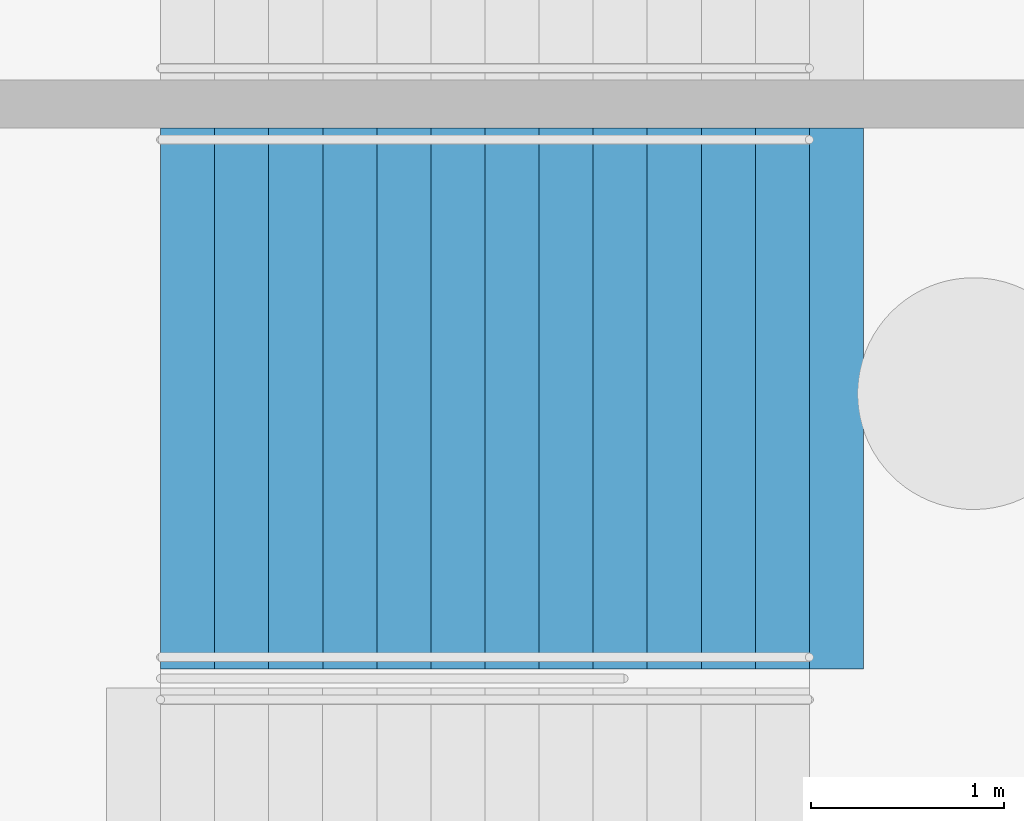
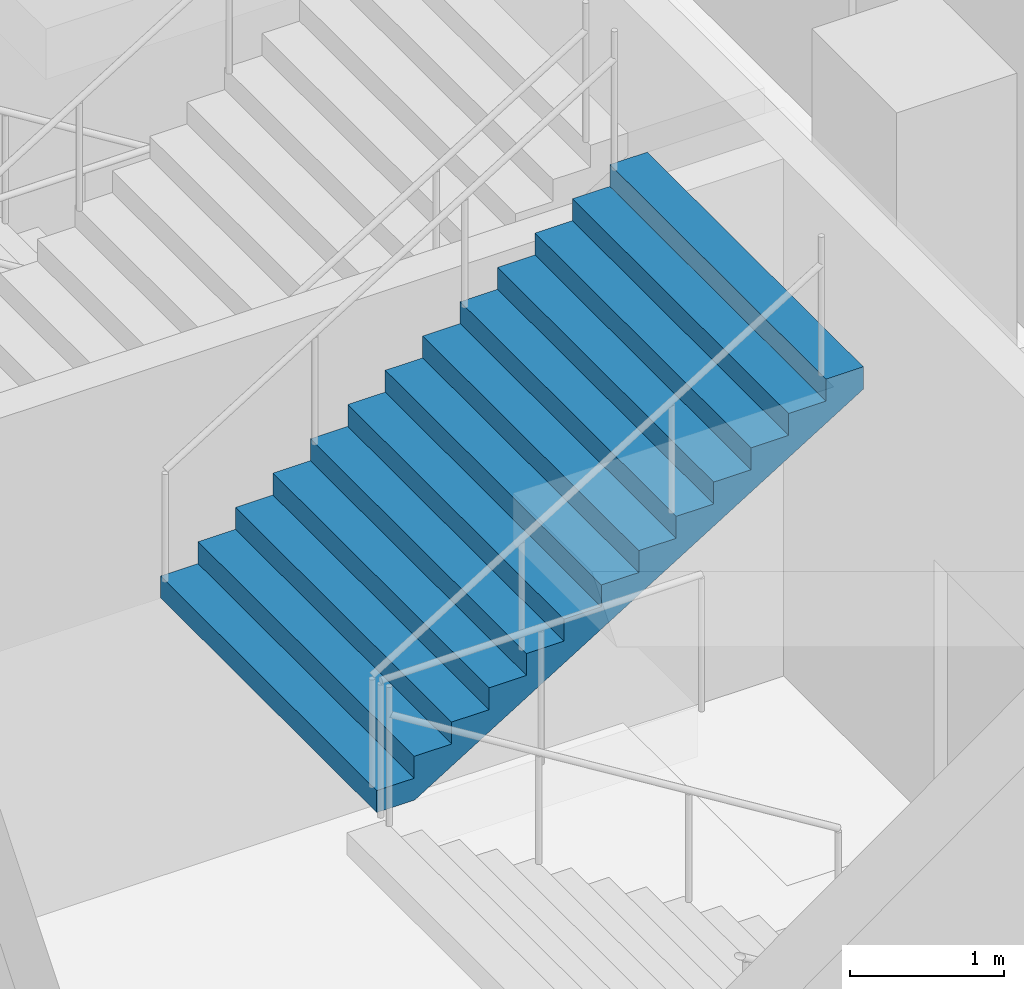
# One storey, part 73 of 115: 1 stair flight, 1 element without a shape of its own.
"""IFC4 building model written with IfcOpenShell, lengths in metres."""

import ifcopenshell
import ifcopenshell.guid

model = None  # the IFC model being written
_history = None  # IfcOwnerHistory: only IFC2X3 demands one
_inside = {}  # id of a spatial element -> (the spatial element, [elements in it])
_under = {}  # id of a project, library or spatial element -> (it, [spatial elements below it])
_declared = {}  # id of a project -> (the project, [libraries it declares])
_typed = {}  # id of a type object -> (the type object, [elements of that type])
_made_of = {}  # id of a material, layer set ... -> (it, [elements and type objects made of it])


def new_model(schema):
    """Start an empty IFC model of exactly this schema.

    Asked for "IFC4X3", IfcOpenShell would pick the latest addendum, in which some entities
    have other attributes; the version numbers below select the first issue.
    IFC2X3 requires an IfcOwnerHistory on every rooted entity: one is made here for all.
    """
    global model, _history
    if schema == "IFC4X3":
        model = ifcopenshell.file(schema_version=(4, 3, 0, 0))
    else:
        model = ifcopenshell.file(schema=schema)
    _inside.clear()
    _under.clear()
    _declared.clear()
    _typed.clear()
    _made_of.clear()
    _history = None
    if model.schema == "IFC2X3":
        org = make("IfcOrganization", Name="unknown")
        user = make(
            "IfcPersonAndOrganization",
            ThePerson=make("IfcPerson", FamilyName="unknown"),
            TheOrganization=org,
        )
        app = make(
            "IfcApplication",
            ApplicationDeveloper=org,
            Version="unknown",
            ApplicationFullName="unknown",
            ApplicationIdentifier="unknown",
        )
        _history = make(
            "IfcOwnerHistory",
            OwningUser=user,
            OwningApplication=app,
            ChangeAction="ADDED",
            CreationDate=0,
        )
    return model


def make(cls, **values):
    """One entity of the class cls with the attributes given. An attribute that is None is left unset."""
    return model.create_entity(
        cls, **{name: value for name, value in values.items() if value is not None}
    )


def rooted(cls, **values):
    """An entity with a GlobalId (a new one), such as an element, a storey or a relation."""
    return make(cls, GlobalId=ifcopenshell.guid.new(), OwnerHistory=_history, **values)


def si_unit(unit_type, name, prefix=None):
    """IfcSIUnit, for example si_unit("LENGTHUNIT", "METRE", prefix="MILLI")."""
    return make("IfcSIUnit", UnitType=unit_type, Prefix=prefix, Name=name)


def assignment(units):
    """IfcUnitAssignment: the units of a project."""
    return None if units is None else make("IfcUnitAssignment", Units=units)


def point(xyz):
    """IfcCartesianPoint."""
    return None if xyz is None else make("IfcCartesianPoint", Coordinates=xyz)


def direction(xyz):
    """IfcDirection."""
    return None if xyz is None else make("IfcDirection", DirectionRatios=xyz)


def frame(location, z_axis=None, x_axis=None):
    """IfcAxis2Placement3D, a coordinate frame: its origin and axes. An axis left out is left unset."""
    return make(
        "IfcAxis2Placement3D",
        Location=point(location),
        Axis=direction(z_axis),
        RefDirection=direction(x_axis),
    )


def origin():
    """The frame at (0, 0, 0) with its axes left unset."""
    return frame((0.0, 0.0, 0.0))


def place(relative_to, where):
    """IfcLocalPlacement: puts the frame where relative to a parent placement (None: the world)."""
    return make(
        "IfcLocalPlacement", PlacementRelTo=relative_to, RelativePlacement=where
    )


def context(
    kind, dimensions, precision=None, world=None, true_north=None, identifier=None
):
    """IfcGeometricRepresentationContext, for example the 3D "Model" context."""
    return make(
        "IfcGeometricRepresentationContext",
        ContextIdentifier=identifier,
        ContextType=kind,
        CoordinateSpaceDimension=dimensions,
        Precision=precision,
        WorldCoordinateSystem=world,
        TrueNorth=true_north,
    )


def subcontext(parent, identifier, kind, view, scale=None):
    """IfcGeometricRepresentationSubContext, for example "Body" below "Model"."""
    return make(
        "IfcGeometricRepresentationSubContext",
        ContextIdentifier=identifier,
        ContextType=kind,
        ParentContext=parent,
        TargetScale=scale,
        TargetView=view,
    )


def project(units=None, contexts=None):
    """IfcProject with its units and contexts."""
    return rooted(
        "IfcProject",
        Name="project",
        RepresentationContexts=contexts,
        UnitsInContext=assignment(units),
    )


def spatial(cls, under=None, at=None, **own):
    """A site, building, storey or space (cls), placed at a placement, below another one or the project."""
    s = rooted(cls, ObjectPlacement=at, **own)
    if under is not None:
        _under.setdefault(under.id(), (under, []))[1].append(s)
    return s


def faces_of(points, faces, orient=None, outer=None):
    """IfcFace entities. A face is a list of loops; a loop is a list of indices into points, from 0.

    orient and outer hold one flag for each loop. By default every Orientation is true, the
    first loop of a face is its IfcFaceOuterBound and the others are IfcFaceBound.
    """
    made = []
    for i, loops in enumerate(faces):
        bounds = []
        for j, loop in enumerate(loops):
            is_outer = j == 0 if outer is None else outer[i][j]
            bounds.append(
                make(
                    "IfcFaceOuterBound" if is_outer else "IfcFaceBound",
                    Bound=make("IfcPolyLoop", Polygon=[points[k] for k in loop]),
                    Orientation=True if orient is None else orient[i][j],
                )
            )
        made.append(make("IfcFace", Bounds=bounds))
    return made


def faceted_brep(points, faces, orient=None, outer=None, voids=None):
    """IfcFacetedBrep: a solid bounded by flat faces; with voids (closed shells), ...WithVoids."""
    shared = [point(p) for p in points]
    hull = make("IfcClosedShell", CfsFaces=faces_of(shared, faces, orient, outer))
    if voids is None:
        return make("IfcFacetedBrep", Outer=hull)
    return make(
        "IfcFacetedBrepWithVoids",
        Outer=hull,
        Voids=[
            make(cls, CfsFaces=faces_of(shared, fs, o, b)) for cls, fs, o, b in voids
        ],
    )


def shape(context_of_items, identifier, shape_type, items):
    """IfcShapeRepresentation: the items that make up one representation, for example the "Body"."""
    return make(
        "IfcShapeRepresentation",
        ContextOfItems=context_of_items,
        RepresentationIdentifier=identifier,
        RepresentationType=shape_type,
        Items=items,
    )


def material(Name=None, Category=None):
    """IfcMaterial."""
    return make("IfcMaterial", Name=Name, Category=Category)


def made_of(thing, what):
    """Note that an element or type object is made of a material, layer set ...; save() writes the relation."""
    if what is not None:
        _made_of.setdefault(what.id(), (what, []))[1].append(thing)
    return thing


def type_object(cls, material=None, **own):
    """A type object (cls), such as IfcWallType, which elements share."""
    return made_of(rooted(cls, **own), material)


def element(
    cls,
    number,
    at=None,
    inside=None,
    cuts=None,
    type_object=None,
    material=None,
    context=None,
    identifier="Body",
    shape_type=None,
    held_by="IfcProductDefinitionShape",
    body=None,
    shapes=None,
    **own,
):
    """One element of the class cls, such as IfcWall. Its Tag is "e" and its number.

    at: its placement. inside: the storey or other place that contains it. cuts: it is an
    opening in that element (IfcRelVoidsElement). A single representation is given by context,
    identifier, shape_type and body (its items); several are given by shapes. held_by: the class
    of the entity that holds the representations. save() writes the other relations.
    """
    e = rooted(cls, Tag="e%d" % number, ObjectPlacement=at, **own)
    if body is not None:
        shapes = [shape(context, identifier, shape_type, body)]
    if shapes is not None:
        e.Representation = make(held_by, Representations=shapes)
    if inside is not None:
        _inside.setdefault(inside.id(), (inside, []))[1].append(e)
    if cuts is not None:
        rooted(
            "IfcRelVoidsElement", RelatingBuildingElement=cuts, RelatedOpeningElement=e
        )
    if type_object is not None:
        _typed.setdefault(type_object.id(), (type_object, []))[1].append(e)
    return made_of(e, material)


def aggregate(whole, parts):
    """IfcRelAggregates: a whole, such as a stair, and the parts it consists of."""
    return rooted("IfcRelAggregates", RelatingObject=whole, RelatedObjects=parts)


def save(model, path):
    """Write the relations noted so far, then the file.

    IfcRelAggregates (storeys below a building ...), IfcRelContainedInSpatialStructure (elements
    in a storey), IfcRelDefinesByType, IfcRelAssociatesMaterial and IfcRelDeclares: one each for
    every whole, place, type object, material and project.
    """
    for whole, parts in _under.values():
        aggregate(whole, parts)
    for where, things in _inside.values():
        rooted(
            "IfcRelContainedInSpatialStructure",
            RelatedElements=things,
            RelatingStructure=where,
        )
    for kind, things in _typed.values():
        rooted("IfcRelDefinesByType", RelatedObjects=things, RelatingType=kind)
    for what, things in _made_of.values():
        rooted("IfcRelAssociatesMaterial", RelatedObjects=things, RelatingMaterial=what)
    for by, libraries in _declared.values():
        rooted("IfcRelDeclares", RelatingContext=by, RelatedDefinitions=libraries)
    model.write(path)


model = new_model("IFC4")

# Units and contexts
model_context = context("Model", 3, precision=1e-05, world=origin(), true_north=direction((0.0, 1.0)))
body_context = subcontext(model_context, "Body", "Model", "MODEL_VIEW")
ifc_project = project(units=[si_unit("LENGTHUNIT", "METRE"), si_unit("AREAUNIT", "SQUARE_METRE"), si_unit("VOLUMEUNIT", "CUBIC_METRE"), si_unit("PLANEANGLEUNIT", "RADIAN"), si_unit("MASSUNIT", "GRAM", prefix="KILO")], contexts=[model_context])

# Site, building, storey
site_placement = place(None, origin())
site = spatial("IfcSite", under=ifc_project, at=site_placement, CompositionType="ELEMENT")
building_placement = place(site_placement, origin())
building = spatial("IfcBuilding", under=site, at=building_placement, Name="Ogive Plaza Stadium", CompositionType="ELEMENT")
storey_placement = place(building_placement, frame((0.0, 0.0, -4.5)))
storey = spatial("IfcBuildingStorey", under=building, at=storey_placement, Name="B1", CompositionType="ELEMENT", Elevation=-4.5)

# Stair, stair flight
ifc_material_1 = material(Name="Concrete C40/50", Category="concrete")
stair_type = type_object("IfcStairType", Name="Exit stair", PredefinedType="STRAIGHT_RUN_STAIR", material=ifc_material_1)
stair_placement = place(storey_placement, origin())
stair = element("IfcStair", 1, at=stair_placement, inside=storey, type_object=stair_type, Name="Exit stair ST22B B1 to L00", PredefinedType="STRAIGHT_RUN_STAIR")
ifc_material_2 = material(Name="Concrete C40/50", Category="concrete")
stair_flight_type = type_object("IfcStairFlightType", Name="Exit stair flight", PredefinedType="STRAIGHT", material=ifc_material_2)
stair_flight_placement = place(storey_placement, frame((-79.7099609375, -39.02490234375, 2.25), z_axis=(0.0, 0.0, 1.0), x_axis=(1.0, 0.0, 0.0)))
stair_flight = element("IfcStairFlight", 2, at=stair_flight_placement, type_object=stair_flight_type, Name="ST22B flight 2", NumberOfRisers=13, NumberOfTreads=12, PredefinedType="STRAIGHT", RiserHeight=0.173076923, TreadLength=0.28, context=body_context, shape_type="Brep", body=[
    faceted_brep([(0.28515625, -1.39990234375, 0.0), (3.639892578125, -1.39990234375, 2.07373046875), (3.639892578125, -1.39990234375, 2.25), (3.360107421875, -1.39990234375, 2.25), (3.360107421875, -1.39990234375, 2.076904296875), (3.080078125, -1.39990234375, 2.076904296875), (3.080078125, -1.39990234375, 1.90380859375), (2.800048828125, -1.39990234375, 1.90380859375), (2.800048828125, -1.39990234375, 1.730712890625), (2.52001953125, -1.39990234375, 1.730712890625), (2.52001953125, -1.39990234375, 1.5576171875), (2.239990234375, -1.39990234375, 1.5576171875), (2.239990234375, -1.39990234375, 1.384521484375), (1.9599609375, -1.39990234375, 1.384521484375), (1.9599609375, -1.39990234375, 1.21142578125), (1.679931640625, -1.39990234375, 1.21142578125), (1.679931640625, -1.39990234375, 1.03857421875), (1.39990234375, -1.39990234375, 1.03857421875), (1.39990234375, -1.39990234375, 0.865478515625), (1.1201171875, -1.39990234375, 0.865478515625), (1.1201171875, -1.39990234375, 0.6923828125), (0.840087890625, -1.39990234375, 0.6923828125), (0.840087890625, -1.39990234375, 0.519287109375), (0.56005859375, -1.39990234375, 0.519287109375), (0.56005859375, -1.39990234375, 0.34619140625), (0.280029296875, -1.39990234375, 0.34619140625), (0.280029296875, -1.39990234375, 0.173095703125), (0.0, -1.39990234375, 0.173095703125), (0.0, -1.39990234375, 0.0), (0.0, 1.39990234375, 0.0), (0.0, 1.39990234375, 0.173095703125), (0.280029296875, 1.39990234375, 0.173095703125), (0.280029296875, 1.39990234375, 0.34619140625), (0.56005859375, 1.39990234375, 0.34619140625), (0.56005859375, 1.39990234375, 0.519287109375), (0.840087890625, 1.39990234375, 0.519287109375), (0.840087890625, 1.39990234375, 0.6923828125), (1.1201171875, 1.39990234375, 0.6923828125), (1.1201171875, 1.39990234375, 0.865478515625), (1.39990234375, 1.39990234375, 0.865478515625), (1.39990234375, 1.39990234375, 1.03857421875), (1.679931640625, 1.39990234375, 1.03857421875), (1.679931640625, 1.39990234375, 1.21142578125), (1.9599609375, 1.39990234375, 1.21142578125), (1.9599609375, 1.39990234375, 1.384521484375), (2.239990234375, 1.39990234375, 1.384521484375), (2.239990234375, 1.39990234375, 1.5576171875), (2.52001953125, 1.39990234375, 1.5576171875), (2.52001953125, 1.39990234375, 1.730712890625), (2.800048828125, 1.39990234375, 1.730712890625), (2.800048828125, 1.39990234375, 1.90380859375), (3.080078125, 1.39990234375, 1.90380859375), (3.080078125, 1.39990234375, 2.076904296875), (3.360107421875, 1.39990234375, 2.076904296875), (3.360107421875, 1.39990234375, 2.25), (3.639892578125, 1.39990234375, 2.25), (3.639892578125, 1.39990234375, 2.07373046875), (0.28515625, 1.39990234375, 0.0), (0.28515625, -1.0888671875, 0.0), (3.639892578125, -1.0888671875, 2.07373046875), (0.28515625, -0.77783203125, 0.0), (3.639892578125, -0.77783203125, 2.07373046875), (0.28515625, -0.466796875, 0.0), (3.639892578125, -0.466796875, 2.07373046875), (0.28515625, -0.155517578125, 0.0), (3.639892578125, -0.155517578125, 2.07373046875), (0.28515625, 0.155517578125, 0.0), (3.639892578125, 0.155517578125, 2.07373046875), (0.28515625, 0.466796875, 0.0), (3.639892578125, 0.466796875, 2.07373046875), (0.28515625, 0.77783203125, 0.0), (3.639892578125, 0.77783203125, 2.07373046875), (0.28515625, 1.0888671875, 0.0), (3.639892578125, 1.0888671875, 2.07373046875), (3.639892578125, -1.0888671875, 2.25), (3.639892578125, -0.77783203125, 2.25), (3.639892578125, -0.466796875, 2.25), (3.639892578125, -0.155517578125, 2.25), (3.639892578125, 0.155517578125, 2.25), (3.639892578125, 0.466796875, 2.25), (3.639892578125, 0.77783203125, 2.25), (3.639892578125, 1.0888671875, 2.25), (3.360107421875, -1.0888671875, 2.25), (3.360107421875, -0.77783203125, 2.25), (3.360107421875, -0.466796875, 2.25), (3.360107421875, -0.155517578125, 2.25), (3.360107421875, 0.155517578125, 2.25), (3.360107421875, 0.466796875, 2.25), (3.360107421875, 0.77783203125, 2.25), (3.360107421875, 1.0888671875, 2.25), (3.360107421875, -1.0888671875, 2.076904296875), (3.360107421875, -0.77783203125, 2.076904296875), (3.360107421875, -0.466796875, 2.076904296875), (3.360107421875, -0.155517578125, 2.076904296875), (3.360107421875, 0.155517578125, 2.076904296875), (3.360107421875, 0.466796875, 2.076904296875), (3.360107421875, 0.77783203125, 2.076904296875), (3.360107421875, 1.0888671875, 2.076904296875), (3.080078125, -1.0888671875, 2.076904296875), (3.080078125, -0.77783203125, 2.076904296875), (3.080078125, -0.466796875, 2.076904296875), (3.080078125, -0.155517578125, 2.076904296875), (3.080078125, 0.155517578125, 2.076904296875), (3.080078125, 0.466796875, 2.076904296875), (3.080078125, 0.77783203125, 2.076904296875), (3.080078125, 1.0888671875, 2.076904296875), (3.080078125, -1.0888671875, 1.90380859375), (3.080078125, -0.77783203125, 1.90380859375), (3.080078125, -0.466796875, 1.90380859375), (3.080078125, -0.155517578125, 1.90380859375), (3.080078125, 0.155517578125, 1.90380859375), (3.080078125, 0.466796875, 1.90380859375), (3.080078125, 0.77783203125, 1.90380859375), (3.080078125, 1.0888671875, 1.90380859375), (2.800048828125, -1.0888671875, 1.90380859375), (2.800048828125, -0.77783203125, 1.90380859375), (2.800048828125, -0.466796875, 1.90380859375), (2.800048828125, -0.155517578125, 1.90380859375), (2.800048828125, 0.155517578125, 1.90380859375), (2.800048828125, 0.466796875, 1.90380859375), (2.800048828125, 0.77783203125, 1.90380859375), (2.800048828125, 1.0888671875, 1.90380859375), (2.800048828125, -1.0888671875, 1.730712890625), (2.800048828125, -0.77783203125, 1.730712890625), (2.800048828125, -0.466796875, 1.730712890625), (2.800048828125, -0.155517578125, 1.730712890625), (2.800048828125, 0.155517578125, 1.730712890625), (2.800048828125, 0.466796875, 1.730712890625), (2.800048828125, 0.77783203125, 1.730712890625), (2.800048828125, 1.0888671875, 1.730712890625), (2.52001953125, -1.0888671875, 1.730712890625), (2.52001953125, -0.77783203125, 1.730712890625), (2.52001953125, -0.466796875, 1.730712890625), (2.52001953125, -0.155517578125, 1.730712890625), (2.52001953125, 0.155517578125, 1.730712890625), (2.52001953125, 0.466796875, 1.730712890625), (2.52001953125, 0.77783203125, 1.730712890625), (2.52001953125, 1.0888671875, 1.730712890625), (2.52001953125, -1.0888671875, 1.5576171875), (2.52001953125, -0.77783203125, 1.5576171875), (2.52001953125, -0.466796875, 1.5576171875), (2.52001953125, -0.155517578125, 1.5576171875), (2.52001953125, 0.155517578125, 1.5576171875), (2.52001953125, 0.466796875, 1.5576171875), (2.52001953125, 0.77783203125, 1.5576171875), (2.52001953125, 1.0888671875, 1.5576171875), (2.239990234375, -1.0888671875, 1.5576171875), (2.239990234375, -0.77783203125, 1.5576171875), (2.239990234375, -0.466796875, 1.5576171875), (2.239990234375, -0.155517578125, 1.5576171875), (2.239990234375, 0.155517578125, 1.5576171875), (2.239990234375, 0.466796875, 1.5576171875), (2.239990234375, 0.77783203125, 1.5576171875), (2.239990234375, 1.0888671875, 1.5576171875), (2.239990234375, -1.0888671875, 1.384521484375), (2.239990234375, -0.77783203125, 1.384521484375), (2.239990234375, -0.466796875, 1.384521484375), (2.239990234375, -0.155517578125, 1.384521484375), (2.239990234375, 0.155517578125, 1.384521484375), (2.239990234375, 0.466796875, 1.384521484375), (2.239990234375, 0.77783203125, 1.384521484375), (2.239990234375, 1.0888671875, 1.384521484375), (1.9599609375, -1.0888671875, 1.384521484375), (1.9599609375, -0.77783203125, 1.384521484375), (1.9599609375, -0.466796875, 1.384521484375), (1.9599609375, -0.155517578125, 1.384521484375), (1.9599609375, 0.155517578125, 1.384521484375), (1.9599609375, 0.466796875, 1.384521484375), (1.9599609375, 0.77783203125, 1.384521484375), (1.9599609375, 1.0888671875, 1.384521484375), (1.9599609375, -1.0888671875, 1.21142578125), (1.9599609375, -0.77783203125, 1.21142578125), (1.9599609375, -0.466796875, 1.21142578125), (1.9599609375, -0.155517578125, 1.21142578125), (1.9599609375, 0.155517578125, 1.21142578125), (1.9599609375, 0.466796875, 1.21142578125), (1.9599609375, 0.77783203125, 1.21142578125), (1.9599609375, 1.0888671875, 1.21142578125), (1.679931640625, -1.0888671875, 1.21142578125), (1.679931640625, -0.77783203125, 1.21142578125), (1.679931640625, -0.466796875, 1.21142578125), (1.679931640625, -0.155517578125, 1.21142578125), (1.679931640625, 0.155517578125, 1.21142578125), (1.679931640625, 0.466796875, 1.21142578125), (1.679931640625, 0.77783203125, 1.21142578125), (1.679931640625, 1.0888671875, 1.21142578125), (1.679931640625, -1.0888671875, 1.03857421875), (1.679931640625, -0.77783203125, 1.03857421875), (1.679931640625, -0.466796875, 1.03857421875), (1.679931640625, -0.155517578125, 1.03857421875), (1.679931640625, 0.155517578125, 1.03857421875), (1.679931640625, 0.466796875, 1.03857421875), (1.679931640625, 0.77783203125, 1.03857421875), (1.679931640625, 1.0888671875, 1.03857421875), (1.39990234375, -1.0888671875, 1.03857421875), (1.39990234375, -0.77783203125, 1.03857421875), (1.39990234375, -0.466796875, 1.03857421875), (1.39990234375, -0.155517578125, 1.03857421875), (1.39990234375, 0.155517578125, 1.03857421875), (1.39990234375, 0.466796875, 1.03857421875), (1.39990234375, 0.77783203125, 1.03857421875), (1.39990234375, 1.0888671875, 1.03857421875), (1.39990234375, -1.0888671875, 0.865478515625), (1.39990234375, -0.77783203125, 0.865478515625), (1.39990234375, -0.466796875, 0.865478515625), (1.39990234375, -0.155517578125, 0.865478515625), (1.39990234375, 0.155517578125, 0.865478515625), (1.39990234375, 0.466796875, 0.865478515625), (1.39990234375, 0.77783203125, 0.865478515625), (1.39990234375, 1.0888671875, 0.865478515625), (1.1201171875, -1.0888671875, 0.865478515625), (1.1201171875, -0.77783203125, 0.865478515625), (1.1201171875, -0.466796875, 0.865478515625), (1.1201171875, -0.155517578125, 0.865478515625), (1.1201171875, 0.155517578125, 0.865478515625), (1.1201171875, 0.466796875, 0.865478515625), (1.1201171875, 0.77783203125, 0.865478515625), (1.1201171875, 1.0888671875, 0.865478515625), (1.1201171875, -1.0888671875, 0.6923828125), (1.1201171875, -0.77783203125, 0.6923828125), (1.1201171875, -0.466796875, 0.6923828125), (1.1201171875, -0.155517578125, 0.6923828125), (1.1201171875, 0.155517578125, 0.6923828125), (1.1201171875, 0.466796875, 0.6923828125), (1.1201171875, 0.77783203125, 0.6923828125), (1.1201171875, 1.0888671875, 0.6923828125), (0.840087890625, -1.0888671875, 0.6923828125), (0.840087890625, -0.77783203125, 0.6923828125), (0.840087890625, -0.466796875, 0.6923828125), (0.840087890625, -0.155517578125, 0.6923828125), (0.840087890625, 0.155517578125, 0.6923828125), (0.840087890625, 0.466796875, 0.6923828125), (0.840087890625, 0.77783203125, 0.6923828125), (0.840087890625, 1.0888671875, 0.6923828125), (0.840087890625, -1.0888671875, 0.519287109375), (0.840087890625, -0.77783203125, 0.519287109375), (0.840087890625, -0.466796875, 0.519287109375), (0.840087890625, -0.155517578125, 0.519287109375), (0.840087890625, 0.155517578125, 0.519287109375), (0.840087890625, 0.466796875, 0.519287109375), (0.840087890625, 0.77783203125, 0.519287109375), (0.840087890625, 1.0888671875, 0.519287109375), (0.56005859375, -1.0888671875, 0.519287109375), (0.56005859375, -0.77783203125, 0.519287109375), (0.56005859375, -0.466796875, 0.519287109375), (0.56005859375, -0.155517578125, 0.519287109375), (0.56005859375, 0.155517578125, 0.519287109375), (0.56005859375, 0.466796875, 0.519287109375), (0.56005859375, 0.77783203125, 0.519287109375), (0.56005859375, 1.0888671875, 0.519287109375), (0.56005859375, -1.0888671875, 0.34619140625), (0.56005859375, -0.77783203125, 0.34619140625), (0.56005859375, -0.466796875, 0.34619140625), (0.56005859375, -0.155517578125, 0.34619140625), (0.56005859375, 0.155517578125, 0.34619140625), (0.56005859375, 0.466796875, 0.34619140625), (0.56005859375, 0.77783203125, 0.34619140625), (0.56005859375, 1.0888671875, 0.34619140625), (0.280029296875, -1.0888671875, 0.34619140625), (0.280029296875, -0.77783203125, 0.34619140625), (0.280029296875, -0.466796875, 0.34619140625), (0.280029296875, -0.155517578125, 0.34619140625), (0.280029296875, 0.155517578125, 0.34619140625), (0.280029296875, 0.466796875, 0.34619140625), (0.280029296875, 0.77783203125, 0.34619140625), (0.280029296875, 1.0888671875, 0.34619140625), (0.280029296875, -1.0888671875, 0.173095703125), (0.280029296875, -0.77783203125, 0.173095703125), (0.280029296875, -0.466796875, 0.173095703125), (0.280029296875, -0.155517578125, 0.173095703125), (0.280029296875, 0.155517578125, 0.173095703125), (0.280029296875, 0.466796875, 0.173095703125), (0.280029296875, 0.77783203125, 0.173095703125), (0.280029296875, 1.0888671875, 0.173095703125), (0.0, -1.0888671875, 0.173095703125), (0.0, -0.77783203125, 0.173095703125), (0.0, -0.466796875, 0.173095703125), (0.0, -0.155517578125, 0.173095703125), (0.0, 0.155517578125, 0.173095703125), (0.0, 0.466796875, 0.173095703125), (0.0, 0.77783203125, 0.173095703125), (0.0, 1.0888671875, 0.173095703125), (0.0, -1.0888671875, 0.0), (0.0, -0.77783203125, 0.0), (0.0, -0.466796875, 0.0), (0.0, -0.155517578125, 0.0), (0.0, 0.155517578125, 0.0), (0.0, 0.466796875, 0.0), (0.0, 0.77783203125, 0.0), (0.0, 1.0888671875, 0.0)], [[[0, 1, 2, 3, 4, 5, 6, 7, 8, 9, 10, 11, 12, 13, 14, 15, 16, 17, 18, 19, 20, 21, 22, 23, 24, 25, 26, 27, 28]], [[29, 30, 31, 32, 33, 34, 35, 36, 37, 38, 39, 40, 41, 42, 43, 44, 45, 46, 47, 48, 49, 50, 51, 52, 53, 54, 55, 56, 57]], [[0, 58, 59, 1]], [[58, 60, 61, 59]], [[60, 62, 63, 61]], [[62, 64, 65, 63]], [[64, 66, 67, 65]], [[66, 68, 69, 67]], [[68, 70, 71, 69]], [[70, 72, 73, 71]], [[72, 57, 56, 73]], [[1, 59, 74, 2]], [[59, 61, 75, 74]], [[61, 63, 76, 75]], [[63, 65, 77, 76]], [[65, 67, 78, 77]], [[67, 69, 79, 78]], [[69, 71, 80, 79]], [[71, 73, 81, 80]], [[73, 56, 55, 81]], [[2, 74, 82, 3]], [[74, 75, 83, 82]], [[75, 76, 84, 83]], [[76, 77, 85, 84]], [[77, 78, 86, 85]], [[78, 79, 87, 86]], [[79, 80, 88, 87]], [[80, 81, 89, 88]], [[81, 55, 54, 89]], [[3, 82, 90, 4]], [[82, 83, 91, 90]], [[83, 84, 92, 91]], [[84, 85, 93, 92]], [[85, 86, 94, 93]], [[86, 87, 95, 94]], [[87, 88, 96, 95]], [[88, 89, 97, 96]], [[89, 54, 53, 97]], [[4, 90, 98, 5]], [[90, 91, 99, 98]], [[91, 92, 100, 99]], [[92, 93, 101, 100]], [[93, 94, 102, 101]], [[94, 95, 103, 102]], [[95, 96, 104, 103]], [[96, 97, 105, 104]], [[97, 53, 52, 105]], [[5, 98, 106, 6]], [[98, 99, 107, 106]], [[99, 100, 108, 107]], [[100, 101, 109, 108]], [[101, 102, 110, 109]], [[102, 103, 111, 110]], [[103, 104, 112, 111]], [[104, 105, 113, 112]], [[105, 52, 51, 113]], [[6, 106, 114, 7]], [[106, 107, 115, 114]], [[107, 108, 116, 115]], [[108, 109, 117, 116]], [[109, 110, 118, 117]], [[110, 111, 119, 118]], [[111, 112, 120, 119]], [[112, 113, 121, 120]], [[113, 51, 50, 121]], [[7, 114, 122, 8]], [[114, 115, 123, 122]], [[115, 116, 124, 123]], [[116, 117, 125, 124]], [[117, 118, 126, 125]], [[118, 119, 127, 126]], [[119, 120, 128, 127]], [[120, 121, 129, 128]], [[121, 50, 49, 129]], [[8, 122, 130, 9]], [[122, 123, 131, 130]], [[123, 124, 132, 131]], [[124, 125, 133, 132]], [[125, 126, 134, 133]], [[126, 127, 135, 134]], [[127, 128, 136, 135]], [[128, 129, 137, 136]], [[129, 49, 48, 137]], [[9, 130, 138, 10]], [[130, 131, 139, 138]], [[131, 132, 140, 139]], [[132, 133, 141, 140]], [[133, 134, 142, 141]], [[134, 135, 143, 142]], [[135, 136, 144, 143]], [[136, 137, 145, 144]], [[137, 48, 47, 145]], [[10, 138, 146, 11]], [[138, 139, 147, 146]], [[139, 140, 148, 147]], [[140, 141, 149, 148]], [[141, 142, 150, 149]], [[142, 143, 151, 150]], [[143, 144, 152, 151]], [[144, 145, 153, 152]], [[145, 47, 46, 153]], [[11, 146, 154, 12]], [[146, 147, 155, 154]], [[147, 148, 156, 155]], [[148, 149, 157, 156]], [[149, 150, 158, 157]], [[150, 151, 159, 158]], [[151, 152, 160, 159]], [[152, 153, 161, 160]], [[153, 46, 45, 161]], [[12, 154, 162, 13]], [[154, 155, 163, 162]], [[155, 156, 164, 163]], [[156, 157, 165, 164]], [[157, 158, 166, 165]], [[158, 159, 167, 166]], [[159, 160, 168, 167]], [[160, 161, 169, 168]], [[161, 45, 44, 169]], [[13, 162, 170, 14]], [[162, 163, 171, 170]], [[163, 164, 172, 171]], [[164, 165, 173, 172]], [[165, 166, 174, 173]], [[166, 167, 175, 174]], [[167, 168, 176, 175]], [[168, 169, 177, 176]], [[169, 44, 43, 177]], [[14, 170, 178, 15]], [[170, 171, 179, 178]], [[171, 172, 180, 179]], [[172, 173, 181, 180]], [[173, 174, 182, 181]], [[174, 175, 183, 182]], [[175, 176, 184, 183]], [[176, 177, 185, 184]], [[177, 43, 42, 185]], [[15, 178, 186, 16]], [[178, 179, 187, 186]], [[179, 180, 188, 187]], [[180, 181, 189, 188]], [[181, 182, 190, 189]], [[182, 183, 191, 190]], [[183, 184, 192, 191]], [[184, 185, 193, 192]], [[185, 42, 41, 193]], [[16, 186, 194, 17]], [[186, 187, 195, 194]], [[187, 188, 196, 195]], [[188, 189, 197, 196]], [[189, 190, 198, 197]], [[190, 191, 199, 198]], [[191, 192, 200, 199]], [[192, 193, 201, 200]], [[193, 41, 40, 201]], [[17, 194, 202, 18]], [[194, 195, 203, 202]], [[195, 196, 204, 203]], [[196, 197, 205, 204]], [[197, 198, 206, 205]], [[198, 199, 207, 206]], [[199, 200, 208, 207]], [[200, 201, 209, 208]], [[201, 40, 39, 209]], [[18, 202, 210, 19]], [[202, 203, 211, 210]], [[203, 204, 212, 211]], [[204, 205, 213, 212]], [[205, 206, 214, 213]], [[206, 207, 215, 214]], [[207, 208, 216, 215]], [[208, 209, 217, 216]], [[209, 39, 38, 217]], [[19, 210, 218, 20]], [[210, 211, 219, 218]], [[211, 212, 220, 219]], [[212, 213, 221, 220]], [[213, 214, 222, 221]], [[214, 215, 223, 222]], [[215, 216, 224, 223]], [[216, 217, 225, 224]], [[217, 38, 37, 225]], [[20, 218, 226, 21]], [[218, 219, 227, 226]], [[219, 220, 228, 227]], [[220, 221, 229, 228]], [[221, 222, 230, 229]], [[222, 223, 231, 230]], [[223, 224, 232, 231]], [[224, 225, 233, 232]], [[225, 37, 36, 233]], [[21, 226, 234, 22]], [[226, 227, 235, 234]], [[227, 228, 236, 235]], [[228, 229, 237, 236]], [[229, 230, 238, 237]], [[230, 231, 239, 238]], [[231, 232, 240, 239]], [[232, 233, 241, 240]], [[233, 36, 35, 241]], [[22, 234, 242, 23]], [[234, 235, 243, 242]], [[235, 236, 244, 243]], [[236, 237, 245, 244]], [[237, 238, 246, 245]], [[238, 239, 247, 246]], [[239, 240, 248, 247]], [[240, 241, 249, 248]], [[241, 35, 34, 249]], [[23, 242, 250, 24]], [[242, 243, 251, 250]], [[243, 244, 252, 251]], [[244, 245, 253, 252]], [[245, 246, 254, 253]], [[246, 247, 255, 254]], [[247, 248, 256, 255]], [[248, 249, 257, 256]], [[249, 34, 33, 257]], [[24, 250, 258, 25]], [[250, 251, 259, 258]], [[251, 252, 260, 259]], [[252, 253, 261, 260]], [[253, 254, 262, 261]], [[254, 255, 263, 262]], [[255, 256, 264, 263]], [[256, 257, 265, 264]], [[257, 33, 32, 265]], [[25, 258, 266, 26]], [[258, 259, 267, 266]], [[259, 260, 268, 267]], [[260, 261, 269, 268]], [[261, 262, 270, 269]], [[262, 263, 271, 270]], [[263, 264, 272, 271]], [[264, 265, 273, 272]], [[265, 32, 31, 273]], [[26, 266, 274, 27]], [[266, 267, 275, 274]], [[267, 268, 276, 275]], [[268, 269, 277, 276]], [[269, 270, 278, 277]], [[270, 271, 279, 278]], [[271, 272, 280, 279]], [[272, 273, 281, 280]], [[273, 31, 30, 281]], [[27, 274, 282, 28]], [[274, 275, 283, 282]], [[275, 276, 284, 283]], [[276, 277, 285, 284]], [[277, 278, 286, 285]], [[278, 279, 287, 286]], [[279, 280, 288, 287]], [[280, 281, 289, 288]], [[281, 30, 29, 289]], [[28, 282, 58, 0]], [[282, 283, 60, 58]], [[283, 284, 62, 60]], [[284, 285, 64, 62]], [[285, 286, 66, 64]], [[286, 287, 68, 66]], [[287, 288, 70, 68]], [[288, 289, 72, 70]], [[289, 29, 57, 72]]]),
])
aggregate(stair, [stair_flight])

save(model, "model.ifc")
